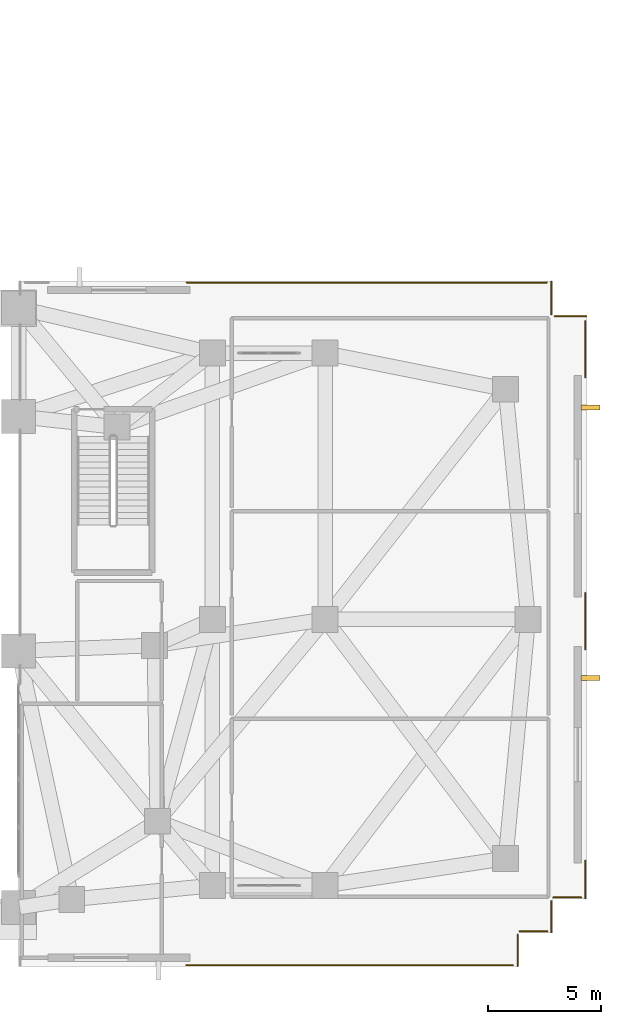
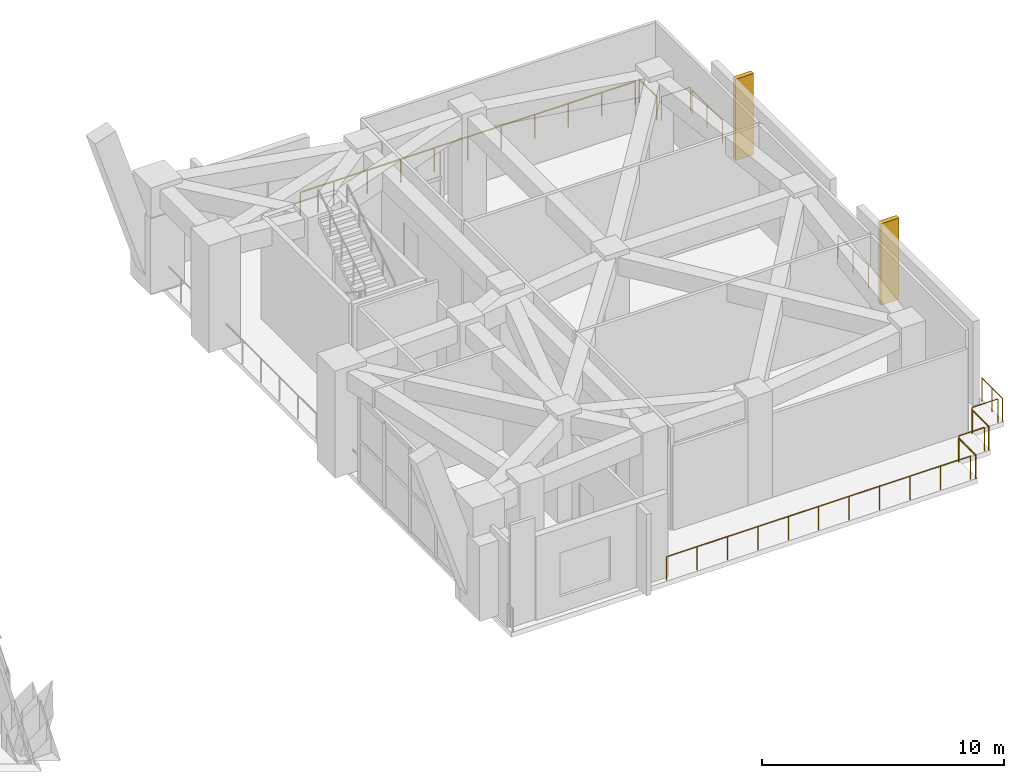
# One storey, part 18 of 18: 11 railings, 2 shading devices.
"""IFC4 building model written with IfcOpenShell, lengths in metres."""

import ifcopenshell
import ifcopenshell.guid

model = None  # the IFC model being written
_history = None  # IfcOwnerHistory: only IFC2X3 demands one
_inside = {}  # id of a spatial element -> (the spatial element, [elements in it])
_under = {}  # id of a project, library or spatial element -> (it, [spatial elements below it])
_declared = {}  # id of a project -> (the project, [libraries it declares])
_typed = {}  # id of a type object -> (the type object, [elements of that type])
_made_of = {}  # id of a material, layer set ... -> (it, [elements and type objects made of it])


def new_model(schema):
    """Start an empty IFC model of exactly this schema.

    Asked for "IFC4X3", IfcOpenShell would pick the latest addendum, in which some entities
    have other attributes; the version numbers below select the first issue.
    IFC2X3 requires an IfcOwnerHistory on every rooted entity: one is made here for all.
    """
    global model, _history
    if schema == "IFC4X3":
        model = ifcopenshell.file(schema_version=(4, 3, 0, 0))
    else:
        model = ifcopenshell.file(schema=schema)
    _inside.clear()
    _under.clear()
    _declared.clear()
    _typed.clear()
    _made_of.clear()
    _history = None
    if model.schema == "IFC2X3":
        org = make("IfcOrganization", Name="unknown")
        user = make(
            "IfcPersonAndOrganization",
            ThePerson=make("IfcPerson", FamilyName="unknown"),
            TheOrganization=org,
        )
        app = make(
            "IfcApplication",
            ApplicationDeveloper=org,
            Version="unknown",
            ApplicationFullName="unknown",
            ApplicationIdentifier="unknown",
        )
        _history = make(
            "IfcOwnerHistory",
            OwningUser=user,
            OwningApplication=app,
            ChangeAction="ADDED",
            CreationDate=0,
        )
    return model


def make(cls, **values):
    """One entity of the class cls with the attributes given. An attribute that is None is left unset."""
    return model.create_entity(
        cls, **{name: value for name, value in values.items() if value is not None}
    )


def rooted(cls, **values):
    """An entity with a GlobalId (a new one), such as an element, a storey or a relation."""
    return make(cls, GlobalId=ifcopenshell.guid.new(), OwnerHistory=_history, **values)


def si_unit(unit_type, name, prefix=None):
    """IfcSIUnit, for example si_unit("LENGTHUNIT", "METRE", prefix="MILLI")."""
    return make("IfcSIUnit", UnitType=unit_type, Prefix=prefix, Name=name)


def assignment(units):
    """IfcUnitAssignment: the units of a project."""
    return None if units is None else make("IfcUnitAssignment", Units=units)


def point(xyz):
    """IfcCartesianPoint."""
    return None if xyz is None else make("IfcCartesianPoint", Coordinates=xyz)


def direction(xyz):
    """IfcDirection."""
    return None if xyz is None else make("IfcDirection", DirectionRatios=xyz)


def frame(location, z_axis=None, x_axis=None):
    """IfcAxis2Placement3D, a coordinate frame: its origin and axes. An axis left out is left unset."""
    return make(
        "IfcAxis2Placement3D",
        Location=point(location),
        Axis=direction(z_axis),
        RefDirection=direction(x_axis),
    )


def frame_2d(location, x_axis=None):
    """IfcAxis2Placement2D, a coordinate frame in the plane: its origin and x axis."""
    return make(
        "IfcAxis2Placement2D", Location=point(location), RefDirection=direction(x_axis)
    )


def origin():
    """The frame at (0, 0, 0) with its axes left unset."""
    return frame((0.0, 0.0, 0.0))


def origin_2d():
    """The frame at (0, 0) in the plane with its x axis left unset."""
    return frame_2d((0.0, 0.0))


def place(relative_to, where):
    """IfcLocalPlacement: puts the frame where relative to a parent placement (None: the world)."""
    return make(
        "IfcLocalPlacement", PlacementRelTo=relative_to, RelativePlacement=where
    )


def context(
    kind, dimensions, precision=None, world=None, true_north=None, identifier=None
):
    """IfcGeometricRepresentationContext, for example the 3D "Model" context."""
    return make(
        "IfcGeometricRepresentationContext",
        ContextIdentifier=identifier,
        ContextType=kind,
        CoordinateSpaceDimension=dimensions,
        Precision=precision,
        WorldCoordinateSystem=world,
        TrueNorth=true_north,
    )


def subcontext(parent, identifier, kind, view, scale=None):
    """IfcGeometricRepresentationSubContext, for example "Body" below "Model"."""
    return make(
        "IfcGeometricRepresentationSubContext",
        ContextIdentifier=identifier,
        ContextType=kind,
        ParentContext=parent,
        TargetScale=scale,
        TargetView=view,
    )


def project(units=None, contexts=None):
    """IfcProject with its units and contexts."""
    return rooted(
        "IfcProject",
        Name="project",
        RepresentationContexts=contexts,
        UnitsInContext=assignment(units),
    )


def spatial(cls, under=None, at=None, **own):
    """A site, building, storey or space (cls), placed at a placement, below another one or the project."""
    s = rooted(cls, ObjectPlacement=at, **own)
    if under is not None:
        _under.setdefault(under.id(), (under, []))[1].append(s)
    return s


def profile(cls, at=None, kind="AREA", **sizes):
    """A parametric profile (cls). Its sizes go by their IFC names, for example OverallWidth=200.0."""
    return make(cls, ProfileType=kind, Position=at, **sizes)


def rectangle(**sizes):
    """IfcRectangleProfileDef."""
    return profile("IfcRectangleProfileDef", **sizes)


def circle(**sizes):
    """IfcCircleProfileDef."""
    return profile("IfcCircleProfileDef", **sizes)


def extrude(swept, where, along, depth):
    """IfcExtrudedAreaSolid: the profile swept, set in the frame where, extruded along a direction by depth."""
    return make(
        "IfcExtrudedAreaSolid",
        SweptArea=swept,
        Position=where,
        ExtrudedDirection=direction(along),
        Depth=depth,
    )


def shape(context_of_items, identifier, shape_type, items):
    """IfcShapeRepresentation: the items that make up one representation, for example the "Body"."""
    return make(
        "IfcShapeRepresentation",
        ContextOfItems=context_of_items,
        RepresentationIdentifier=identifier,
        RepresentationType=shape_type,
        Items=items,
    )


def material(Name=None, Category=None):
    """IfcMaterial."""
    return make("IfcMaterial", Name=Name, Category=Category)


def layer(
    of_material, thickness, ventilated=None, Name=None, Category=None, Priority=None
):
    """IfcMaterialLayer: one layer of a wall or slab, of a material (None: an air gap)."""
    return make(
        "IfcMaterialLayer",
        Material=of_material,
        LayerThickness=thickness,
        IsVentilated=ventilated,
        Name=Name,
        Category=Category,
        Priority=Priority,
    )


def layer_set(layers, Name=None):
    """IfcMaterialLayerSet."""
    return make("IfcMaterialLayerSet", MaterialLayers=layers, LayerSetName=Name)


def made_of(thing, what):
    """Note that an element or type object is made of a material, layer set ...; save() writes the relation."""
    if what is not None:
        _made_of.setdefault(what.id(), (what, []))[1].append(thing)
    return thing


def type_object(cls, material=None, **own):
    """A type object (cls), such as IfcWallType, which elements share."""
    return made_of(rooted(cls, **own), material)


def element(
    cls,
    number,
    at=None,
    inside=None,
    cuts=None,
    type_object=None,
    material=None,
    context=None,
    identifier="Body",
    shape_type=None,
    held_by="IfcProductDefinitionShape",
    body=None,
    shapes=None,
    **own,
):
    """One element of the class cls, such as IfcWall. Its Tag is "e" and its number.

    at: its placement. inside: the storey or other place that contains it. cuts: it is an
    opening in that element (IfcRelVoidsElement). A single representation is given by context,
    identifier, shape_type and body (its items); several are given by shapes. held_by: the class
    of the entity that holds the representations. save() writes the other relations.
    """
    e = rooted(cls, Tag="e%d" % number, ObjectPlacement=at, **own)
    if body is not None:
        shapes = [shape(context, identifier, shape_type, body)]
    if shapes is not None:
        e.Representation = make(held_by, Representations=shapes)
    if inside is not None:
        _inside.setdefault(inside.id(), (inside, []))[1].append(e)
    if cuts is not None:
        rooted(
            "IfcRelVoidsElement", RelatingBuildingElement=cuts, RelatedOpeningElement=e
        )
    if type_object is not None:
        _typed.setdefault(type_object.id(), (type_object, []))[1].append(e)
    return made_of(e, material)


def aggregate(whole, parts):
    """IfcRelAggregates: a whole, such as a stair, and the parts it consists of."""
    return rooted("IfcRelAggregates", RelatingObject=whole, RelatedObjects=parts)


def save(model, path):
    """Write the relations noted so far, then the file.

    IfcRelAggregates (storeys below a building ...), IfcRelContainedInSpatialStructure (elements
    in a storey), IfcRelDefinesByType, IfcRelAssociatesMaterial and IfcRelDeclares: one each for
    every whole, place, type object, material and project.
    """
    for whole, parts in _under.values():
        aggregate(whole, parts)
    for where, things in _inside.values():
        rooted(
            "IfcRelContainedInSpatialStructure",
            RelatedElements=things,
            RelatingStructure=where,
        )
    for kind, things in _typed.values():
        rooted("IfcRelDefinesByType", RelatedObjects=things, RelatingType=kind)
    for what, things in _made_of.values():
        rooted("IfcRelAssociatesMaterial", RelatedObjects=things, RelatingMaterial=what)
    for by, libraries in _declared.values():
        rooted("IfcRelDeclares", RelatingContext=by, RelatedDefinitions=libraries)
    model.write(path)


model = new_model("IFC4")

# Units and contexts
model_context = context("Model", 3, precision=1e-05, world=origin(), true_north=direction((0.0, 1.0)))
body_context = subcontext(model_context, "Body", "Model", "MODEL_VIEW")
ifc_project = project(units=[si_unit("LENGTHUNIT", "METRE"), si_unit("AREAUNIT", "SQUARE_METRE"), si_unit("VOLUMEUNIT", "CUBIC_METRE"), si_unit("PLANEANGLEUNIT", "RADIAN"), si_unit("MASSUNIT", "GRAM", prefix="KILO")], contexts=[model_context])

# Site, building, storey
site_placement = place(None, origin())
site = spatial("IfcSite", under=ifc_project, at=site_placement, CompositionType="ELEMENT")
building_placement = place(site_placement, origin())
building = spatial("IfcBuilding", under=site, at=building_placement, Name="Gaonmaruhae Medical Tower", CompositionType="ELEMENT")
storey_placement = place(building_placement, frame((0.0, 0.0, 5.39990234375)))
storey = spatial("IfcBuildingStorey", under=building, at=storey_placement, Name="L01", CompositionType="ELEMENT", Elevation=5.39990234375)

# Railings
ifc_material_1 = material(Name="Stainless steel 316L and laminated safety glass", Category="steel")
ifc_layer = layer(ifc_material_1, 0.080078125)
ifc_layer_set = layer_set([ifc_layer], Name="Stainless steel 316L and laminated safety glass")
railing_type = type_object("IfcRailingType", Name="GD-120 Outdoor Terrace Safety Glass & Steel Balustrade", PredefinedType="BALUSTRADE", material=ifc_layer_set)
railing_1_placement = place(storey_placement, frame((81.22998046875, 30.3798828125, 0.0)))
element("IfcRailing", 1, at=railing_1_placement, inside=storey, type_object=railing_type, Name="L01 Perimeter Slab Edge Safety Balustrade 22", PredefinedType="BALUSTRADE", context=body_context, shape_type="SweptSolid", body=[
    extrude(circle(Radius=0.02392578125, at=origin_2d()), frame((0.0, 0.0, 1.17578125), z_axis=(0.0, -1.0, 0.0), x_axis=(1.0, 0.0, 0.0)), (0.0, 0.0, 1.0), 1.4599609375),
    extrude(circle(Radius=0.02099609375, at=origin_2d()), origin(), (0.0, 0.0, 1.0), 1.15185546875),
    extrude(circle(Radius=0.02099609375, at=origin_2d()), frame((0.0, -1.4599609375, 0.0)), (0.0, 0.0, 1.0), 1.15185546875),
])
railing_2_placement = place(storey_placement, frame((81.38671875, 28.830078125, 0.0)))
element("IfcRailing", 2, at=railing_2_placement, inside=storey, type_object=railing_type, Name="L01 Perimeter Slab Edge Safety Balustrade 23", PredefinedType="BALUSTRADE", context=body_context, shape_type="SweptSolid", body=[
    extrude(circle(Radius=0.02392578125, at=origin_2d()), frame((0.0, 0.0, 1.17578125), z_axis=(1.0, 0.0, 0.0), x_axis=(0.0, 1.0, 0.0)), (0.0, 0.0, 1.0), 1.393310546875),
    extrude(circle(Radius=0.02099609375, at=origin_2d()), origin(), (0.0, 0.0, 1.0), 1.15185546875),
    extrude(circle(Radius=0.02099609375, at=origin_2d()), frame((1.393310546875, 0.0, 0.0)), (0.0, 0.0, 1.0), 1.15185546875),
])
for number, where, name in (
    (3, (82.72998046875, 28.620361328125, 0.0), "L01 Perimeter Slab Edge Safety Balustrade 24"),
    (4, (82.72998046875, 16.569580078125, 0.0), "L01 Perimeter Slab Edge Safety Balustrade 25"),
):
    element("IfcRailing", number, at=place(storey_placement, frame(where)), inside=storey, type_object=railing_type, Name=name, PredefinedType="BALUSTRADE", context=body_context, shape_type="SweptSolid", body=[
        extrude(circle(Radius=0.02392578125, at=origin_2d()), frame((0.0, 0.0, 1.17578125), z_axis=(0.0, -1.0, 0.0), x_axis=(1.0, 0.0, 0.0)), (0.0, 0.0, 1.0), 2.498291015625),
        extrude(circle(Radius=0.02099609375, at=origin_2d()), origin(), (0.0, 0.0, 1.0), 1.15185546875),
        extrude(circle(Radius=0.02099609375, at=origin_2d()), frame((0.0, -1.2490234375, 0.0)), (0.0, 0.0, 1.0), 1.15185546875),
        extrude(circle(Radius=0.02099609375, at=origin_2d()), frame((0.0, -2.498291015625, 0.0)), (0.0, 0.0, 1.0), 1.15185546875),
    ])
railing_3_placement = place(storey_placement, frame((82.72998046875, 4.69873046875, 0.0)))
element("IfcRailing", 5, at=railing_3_placement, inside=storey, type_object=railing_type, Name="L01 Perimeter Slab Edge Safety Balustrade 26", PredefinedType="BALUSTRADE", context=body_context, shape_type="SweptSolid", body=[
    extrude(circle(Radius=0.02392578125, at=origin_2d()), frame((0.0, 0.0, 1.17578125), z_axis=(0.0, -1.0, 0.0), x_axis=(1.0, 0.0, 0.0)), (0.0, 0.0, 1.0), 1.6787109375),
    extrude(circle(Radius=0.02099609375, at=origin_2d()), origin(), (0.0, 0.0, 1.0), 1.15185546875),
    extrude(circle(Radius=0.02099609375, at=origin_2d()), frame((0.0, -0.83935546875, 0.0)), (0.0, 0.0, 1.0), 1.15185546875),
    extrude(circle(Radius=0.02099609375, at=origin_2d()), frame((0.0, -1.6787109375, 0.0)), (0.0, 0.0, 1.0), 1.15185546875),
])
railing_4_placement = place(storey_placement, frame((82.546630859375, 3.070068359375, 0.0)))
element("IfcRailing", 6, at=railing_4_placement, inside=storey, type_object=railing_type, Name="L01 Perimeter Slab Edge Safety Balustrade 27", PredefinedType="BALUSTRADE", context=body_context, shape_type="SweptSolid", body=[
    extrude(circle(Radius=0.02392578125, at=origin_2d()), frame((0.0, 0.0, 1.17578125), z_axis=(-1.0, 0.0, 0.0), x_axis=(0.0, -1.0, 0.0)), (0.0, 0.0, 1.0), 1.2265625),
    extrude(circle(Radius=0.02099609375, at=origin_2d()), origin(), (0.0, 0.0, 1.0), 1.15185546875),
    extrude(circle(Radius=0.02099609375, at=origin_2d()), frame((-1.2265625, 0.0, 0.0)), (0.0, 0.0, 1.0), 1.15185546875),
])
railing_5_placement = place(storey_placement, frame((81.22998046875, 2.913330078125, 0.0)))
element("IfcRailing", 7, at=railing_5_placement, inside=storey, type_object=railing_type, Name="L01 Perimeter Slab Edge Safety Balustrade 28", PredefinedType="BALUSTRADE", context=body_context, shape_type="SweptSolid", body=[
    extrude(circle(Radius=0.02392578125, at=origin_2d()), frame((0.0, 0.0, 1.17578125), z_axis=(0.0, -1.0, 0.0), x_axis=(1.0, 0.0, 0.0)), (0.0, 0.0, 1.0), 1.393310546875),
    extrude(circle(Radius=0.02099609375, at=origin_2d()), origin(), (0.0, 0.0, 1.0), 1.15185546875),
    extrude(circle(Radius=0.02099609375, at=origin_2d()), frame((0.0, -1.393310546875, 0.0)), (0.0, 0.0, 1.0), 1.15185546875),
])
railing_6_placement = place(storey_placement, frame((81.046630859375, 1.570068359375, 0.0)))
element("IfcRailing", 8, at=railing_6_placement, inside=storey, type_object=railing_type, Name="L01 Perimeter Slab Edge Safety Balustrade 29", PredefinedType="BALUSTRADE", context=body_context, shape_type="SweptSolid", body=[
    extrude(circle(Radius=0.02392578125, at=origin_2d()), frame((0.0, 0.0, 1.17578125), z_axis=(-1.0, 0.0, 0.0), x_axis=(0.0, -1.0, 0.0)), (0.0, 0.0, 1.0), 1.2265625),
    extrude(circle(Radius=0.02099609375, at=origin_2d()), origin(), (0.0, 0.0, 1.0), 1.15185546875),
    extrude(circle(Radius=0.02099609375, at=origin_2d()), frame((-1.2265625, 0.0, 0.0)), (0.0, 0.0, 1.0), 1.15185546875),
])
railing_7_placement = place(storey_placement, frame((79.72998046875, 1.413330078125, 0.0)))
element("IfcRailing", 9, at=railing_7_placement, inside=storey, type_object=railing_type, Name="L01 Perimeter Slab Edge Safety Balustrade 30", PredefinedType="BALUSTRADE", context=body_context, shape_type="SweptSolid", body=[
    extrude(circle(Radius=0.02392578125, at=origin_2d()), frame((0.0, 0.0, 1.17578125), z_axis=(0.0, -1.0, 0.0), x_axis=(1.0, 0.0, 0.0)), (0.0, 0.0, 1.0), 1.393310546875),
    extrude(circle(Radius=0.02099609375, at=origin_2d()), origin(), (0.0, 0.0, 1.0), 1.15185546875),
    extrude(circle(Radius=0.02099609375, at=origin_2d()), frame((0.0, -1.393310546875, 0.0)), (0.0, 0.0, 1.0), 1.15185546875),
])
railing_8_placement = place(storey_placement, frame((79.52197265625, 0.070068359375, 0.0)))
element("IfcRailing", 10, at=railing_8_placement, inside=storey, type_object=railing_type, Name="L01 Perimeter Slab Edge Safety Balustrade 31", PredefinedType="BALUSTRADE", context=body_context, shape_type="SweptSolid", body=[
    extrude(circle(Radius=0.02392578125, at=origin_2d()), frame((0.0, 0.0, 1.17578125), z_axis=(-1.0, 0.0, 0.0), x_axis=(0.0, -1.0, 0.0)), (0.0, 0.0, 1.0), 14.482666015625),
    extrude(circle(Radius=0.02099609375, at=origin_2d()), origin(), (0.0, 0.0, 1.0), 1.15185546875),
    extrude(circle(Radius=0.02099609375, at=origin_2d()), frame((-1.4482421875, 0.0, 0.0)), (0.0, 0.0, 1.0), 1.15185546875),
    extrude(circle(Radius=0.02099609375, at=origin_2d()), frame((-2.896484375, 0.0, 0.0)), (0.0, 0.0, 1.0), 1.15185546875),
    extrude(circle(Radius=0.02099609375, at=origin_2d()), frame((-4.3447265625, 0.0, 0.0)), (0.0, 0.0, 1.0), 1.15185546875),
    extrude(circle(Radius=0.02099609375, at=origin_2d()), frame((-5.79296875, 0.0, 0.0)), (0.0, 0.0, 1.0), 1.15185546875),
    extrude(circle(Radius=0.02099609375, at=origin_2d()), frame((-7.2412109375, 0.0, 0.0)), (0.0, 0.0, 1.0), 1.15185546875),
    extrude(circle(Radius=0.02099609375, at=origin_2d()), frame((-8.689697265625, 0.0, 0.0)), (0.0, 0.0, 1.0), 1.15185546875),
    extrude(circle(Radius=0.02099609375, at=origin_2d()), frame((-10.137939453125, 0.0, 0.0)), (0.0, 0.0, 1.0), 1.15185546875),
    extrude(circle(Radius=0.02099609375, at=origin_2d()), frame((-11.586181640625, 0.0, 0.0)), (0.0, 0.0, 1.0), 1.15185546875),
    extrude(circle(Radius=0.02099609375, at=origin_2d()), frame((-13.034423828125, 0.0, 0.0)), (0.0, 0.0, 1.0), 1.15185546875),
    extrude(circle(Radius=0.02099609375, at=origin_2d()), frame((-14.482666015625, 0.0, 0.0)), (0.0, 0.0, 1.0), 1.15185546875),
])
railing_9_placement = place(storey_placement, frame((65.060791015625, 30.330078125, 0.0)))
element("IfcRailing", 11, at=railing_9_placement, inside=storey, type_object=railing_type, Name="L01 Perimeter Slab Edge Safety Balustrade 38", PredefinedType="BALUSTRADE", context=body_context, shape_type="SweptSolid", body=[
    extrude(circle(Radius=0.02392578125, at=origin_2d()), frame((0.0, 0.0, 1.17578125), z_axis=(1.0, 0.0, 0.0), x_axis=(0.0, 1.0, 0.0)), (0.0, 0.0, 1.0), 15.960205078125),
    extrude(circle(Radius=0.02099609375, at=origin_2d()), origin(), (0.0, 0.0, 1.0), 1.15185546875),
    extrude(circle(Radius=0.02099609375, at=origin_2d()), frame((1.595947265625, 0.0, 0.0)), (0.0, 0.0, 1.0), 1.15185546875),
    extrude(circle(Radius=0.02099609375, at=origin_2d()), frame((3.192138671875, 0.0, 0.0)), (0.0, 0.0, 1.0), 1.15185546875),
    extrude(circle(Radius=0.02099609375, at=origin_2d()), frame((4.7880859375, 0.0, 0.0)), (0.0, 0.0, 1.0), 1.15185546875),
    extrude(circle(Radius=0.02099609375, at=origin_2d()), frame((6.384033203125, 0.0, 0.0)), (0.0, 0.0, 1.0), 1.15185546875),
    extrude(circle(Radius=0.02099609375, at=origin_2d()), frame((7.97998046875, 0.0, 0.0)), (0.0, 0.0, 1.0), 1.15185546875),
    extrude(circle(Radius=0.02099609375, at=origin_2d()), frame((9.576171875, 0.0, 0.0)), (0.0, 0.0, 1.0), 1.15185546875),
    extrude(circle(Radius=0.02099609375, at=origin_2d()), frame((11.172119140625, 0.0, 0.0)), (0.0, 0.0, 1.0), 1.15185546875),
    extrude(circle(Radius=0.02099609375, at=origin_2d()), frame((12.76806640625, 0.0, 0.0)), (0.0, 0.0, 1.0), 1.15185546875),
    extrude(circle(Radius=0.02099609375, at=origin_2d()), frame((14.3642578125, 0.0, 0.0)), (0.0, 0.0, 1.0), 1.15185546875),
    extrude(circle(Radius=0.02099609375, at=origin_2d()), frame((15.960205078125, 0.0, 0.0)), (0.0, 0.0, 1.0), 1.15185546875),
])

# Shading devices
ifc_material_2 = material(Name="Pigmented coral precast concrete C45/55", Category="concrete")
shading_device_type = type_object("IfcShadingDeviceType", Name="SD-FIN2 Podium Vertical Coral Precast Shading Fin", PredefinedType="USERDEFINED", material=ifc_material_2)
for number, where, z_axis, x_axis, name in (
    (12, (82.965087890625, 12.800048828125, 0.06494140625), (0.0, 0.0, 1.0), (0.0, -1.0, 0.0), "L01 Podium Coral Precast Shading Fin PB-E1"),
    (13, (82.965087890625, 24.800048828125, 0.06494140625), (0.0, 0.0, 1.0), (0.0, -1.0, 0.0), "L01 Podium Coral Precast Shading Fin PB-E2"),
):
    element("IfcShadingDevice", number, at=place(storey_placement, frame(where, z_axis=z_axis, x_axis=x_axis)), inside=storey, type_object=shading_device_type, Name=name, ObjectType="FIN", PredefinedType="USERDEFINED", context=body_context, shape_type="SweptSolid", body=[
        extrude(rectangle(XDim=0.219970703125, YDim=0.85009765625, at=origin_2d()), origin(), (0.0, 0.0, 1.0), 4.10009765625),
    ])

save(model, "model.ifc")
